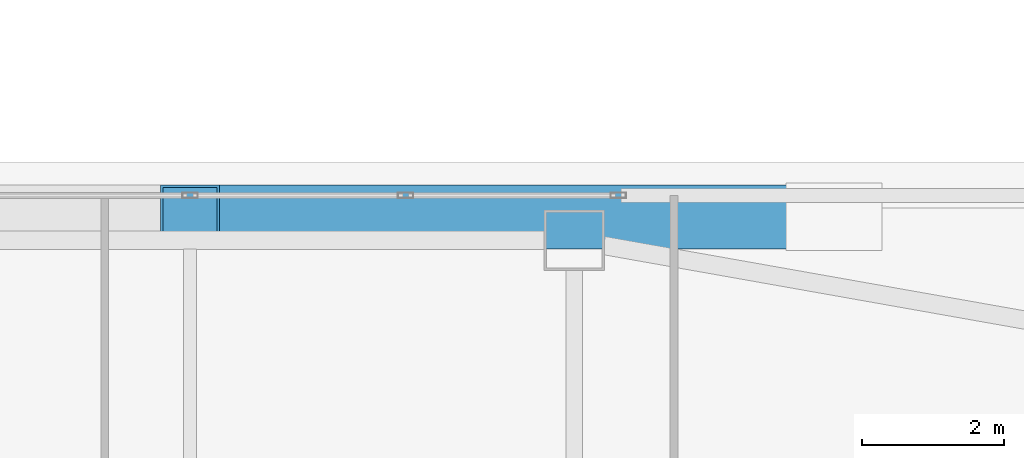
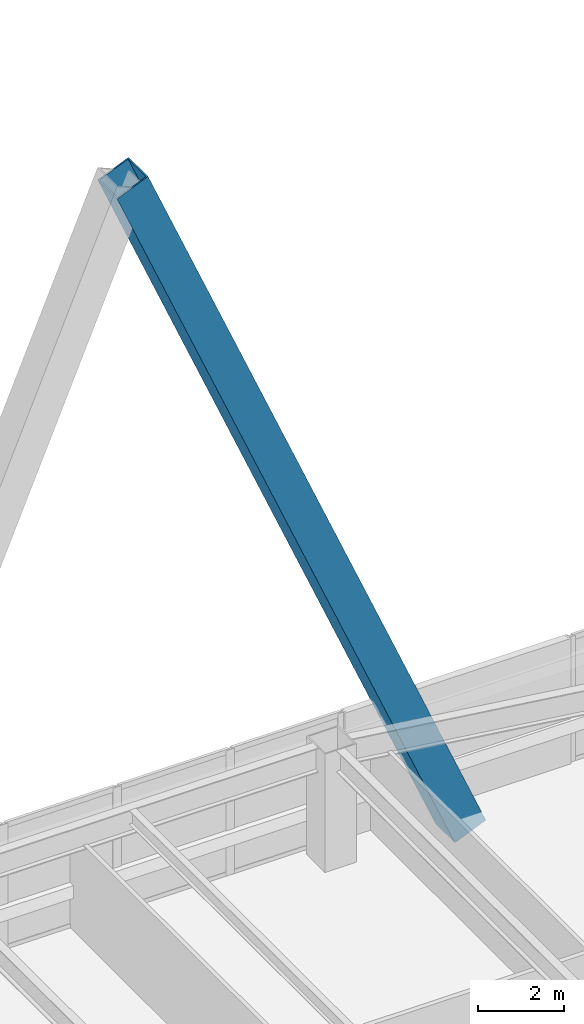
# One storey, part 19 of 54: 1 member.
"""IFC4 building model written with IfcOpenShell, lengths in metres."""

from ifc_helpers import new_model, si_unit, direction, frame, origin, origin_2d, place, context, subcontext, project, spatial, hollow_rectangle, extrude, material, material_profile, profile_set, type_object, element, save


model = new_model("IFC4")

# Units and contexts
model_context = context("Model", 3, precision=1e-05, world=origin(), true_north=direction((0.0, 1.0)))
body_context = subcontext(model_context, "Body", "Model", "MODEL_VIEW")
ifc_project = project(units=[si_unit("LENGTHUNIT", "METRE"), si_unit("AREAUNIT", "SQUARE_METRE"), si_unit("VOLUMEUNIT", "CUBIC_METRE"), si_unit("PLANEANGLEUNIT", "RADIAN"), si_unit("MASSUNIT", "GRAM", prefix="KILO")], contexts=[model_context])

# Site, building, storey
site_placement = place(None, origin())
site = spatial("IfcSite", under=ifc_project, at=site_placement, CompositionType="ELEMENT")
building_placement = place(site_placement, origin())
building = spatial("IfcBuilding", under=site, at=building_placement, Name="Tashvorn Skyway Center", CompositionType="ELEMENT")
storey_placement = place(building_placement, frame((0.0, 0.0, 88.5)))
storey = spatial("IfcBuildingStorey", under=building, at=storey_placement, Name="L23", CompositionType="ELEMENT", Elevation=88.5)

# Member
ifc_material = material(Name="Steel ASTM A572 Grade 50", Category="steel")
ifc_material_profile = material_profile(ifc_material, hollow_rectangle(XDim=0.89990234375, YDim=0.89990234375, WallThickness=0.0400390625, at=origin_2d()), Name="BOX900x900x40")
ifc_profile_set = profile_set([ifc_material_profile], Name="Steel ASTM A572 Grade 50")
member_type = type_object("IfcMemberType", Name="MEM-MB-900", PredefinedType="BRACE", material=ifc_profile_set)
member_placement = place(storey_placement, frame((51.050048828125, 52.679931640625, -0.449951171875), z_axis=(-0.389502874724, 0.0, 0.921025249698), x_axis=(0.0, -1.0, 0.0)))
element("IfcMember", 1, at=member_placement, inside=storey, type_object=member_type, Name="Tower 1 Zone 2 N Chevron Mega-Brace L2", PredefinedType="BRACE", context=body_context, shape_type="SweptSolid", body=[
    extrude(hollow_rectangle(XDim=0.89990234375, YDim=0.89990234375, WallThickness=0.0400390625, at=origin_2d()), origin(), (0.0, 0.0, 1.0), 23.23486328125),
])

save(model, "model.ifc")
